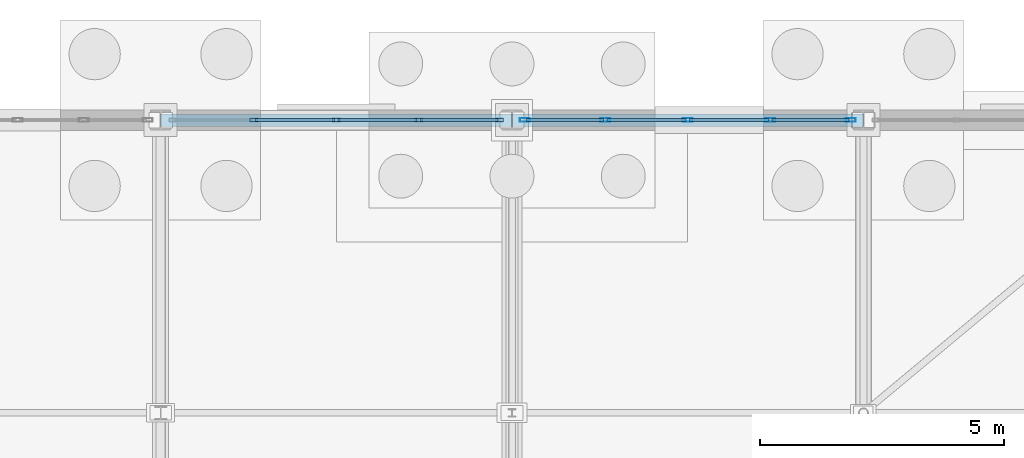
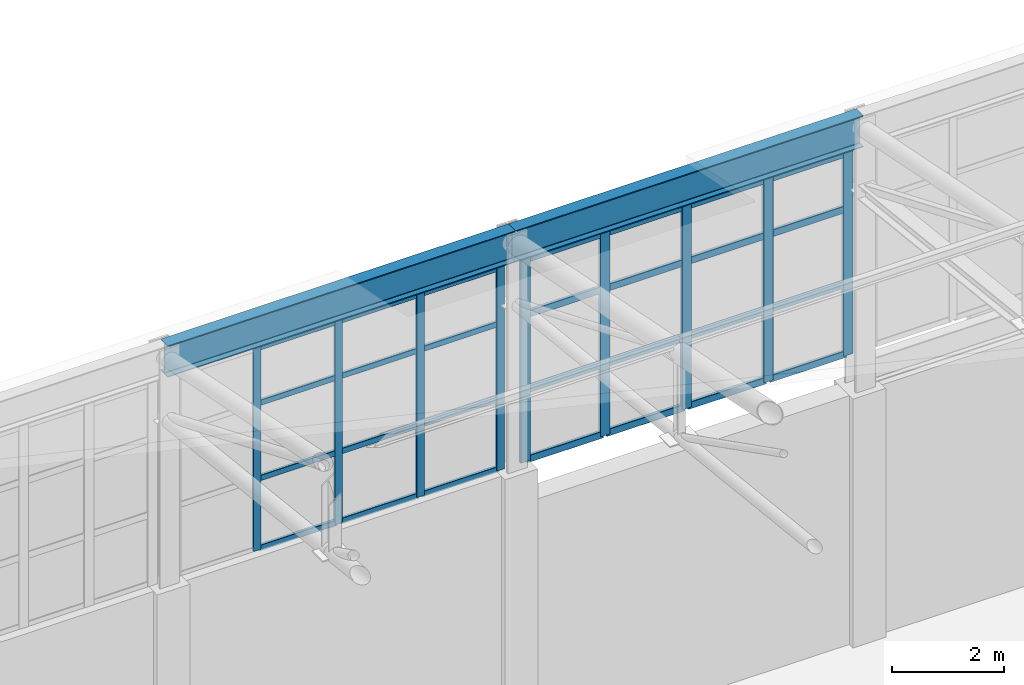
# One storey, part 215 of 293: 37 members, 2 beams, 2 elements without a shape of their own.
"""IFC4 building model written with IfcOpenShell, lengths in metres."""

from ifc_helpers import new_model, si_unit, direction, frame, origin, origin_2d, place, context, subcontext, project, spatial, hollow_rectangle, i_section, extrude, material, layer, layer_set, material_profile, profile_set, type_object, element, aggregate, save


model = new_model("IFC4")

# Units and contexts
model_context = context("Model", 3, precision=1e-05, world=origin(), true_north=direction((0.0, 1.0)))
body_context = subcontext(model_context, "Body", "Model", "MODEL_VIEW")
ifc_project = project(units=[si_unit("LENGTHUNIT", "METRE"), si_unit("AREAUNIT", "SQUARE_METRE"), si_unit("VOLUMEUNIT", "CUBIC_METRE"), si_unit("PLANEANGLEUNIT", "RADIAN"), si_unit("MASSUNIT", "GRAM", prefix="KILO")], contexts=[model_context])

# Site, building, storey
site_placement = place(None, origin())
site = spatial("IfcSite", under=ifc_project, at=site_placement, CompositionType="ELEMENT")
building_placement = place(site_placement, origin())
building = spatial("IfcBuilding", under=site, at=building_placement, Name="Kemerveld Promenade Tramway Depot", CompositionType="ELEMENT")
storey_placement = place(building_placement, origin())
storey = spatial("IfcBuildingStorey", under=building, at=storey_placement, Name="L00", CompositionType="ELEMENT", Elevation=0.0)

# Beams
ifc_material_1 = material(Name="Steel S355", Category="steel")
ifc_material_profile_1 = material_profile(ifc_material_1, i_section(OverallWidth=0.25439453125, OverallDepth=0.6875, WebThickness=0.01318359375, FlangeThickness=0.02099609375, FilletRadius=0.01513671875, at=origin_2d()), Name="686x254x152 UB")
ifc_profile_set_1 = profile_set([ifc_material_profile_1], Name="Steel S355")
beam_type = type_object("IfcBeamType", Name="BM-G03", PredefinedType="BEAM", material=ifc_profile_set_1)
for number, where, z_axis, x_axis, name in (
    (1, (93.60009765625, 144.0, 11.056396484375), (1.0, 0.0, 0.0), (0.0, 1.0, 0.0), "BM-SHED-EAVE-U-14"),
    (2, (100.800048828125, 144.0, 11.056396484375), (1.0, 0.0, 0.0), (0.0, 1.0, 0.0), "BM-SHED-EAVE-U-15"),
):
    element("IfcBeam", number, at=place(storey_placement, frame(where, z_axis=z_axis, x_axis=x_axis)), inside=storey, type_object=beam_type, Name=name, PredefinedType="BEAM", context=body_context, shape_type="SweptSolid", body=[
        extrude(i_section(OverallWidth=0.25439453125, OverallDepth=0.6875, WebThickness=0.01318359375, FlangeThickness=0.02099609375, FilletRadius=0.01513671875, at=origin_2d()), origin(), (0.0, 0.0, 1.0), 7.199951171875),
    ])

# Curtain wall, members
ifc_material_2 = material(Name="Bronze anodised aluminium and solar glass", Category="aluminium")
ifc_layer_1 = layer(ifc_material_2, 0.159912109375)
ifc_layer_set_1 = layer_set([ifc_layer_1], Name="CW-SYS-09")
curtain_wall_type_1 = type_object("IfcCurtainWallType", Name="CW-SYS-09", PredefinedType="USERDEFINED", material=ifc_layer_set_1)
curtain_wall_1_placement = place(storey_placement, origin())
curtain_wall_1 = element("IfcCurtainWall", 3, at=curtain_wall_1_placement, inside=storey, type_object=curtain_wall_type_1, Name="CW-V1-N-09", ObjectType="GLAZED_CURTAIN_WALL", PredefinedType="USERDEFINED")
ifc_material_3 = material(Name="Bronze anodised aluminium", Category="aluminium")
ifc_material_profile_2 = material_profile(ifc_material_3, hollow_rectangle(XDim=0.06494140625, YDim=0.159912109375, WallThickness=0.00390625, InnerFilletRadius=0.001953125, OuterFilletRadius=0.00390625, at=origin_2d()), Name="CW-MUL-160x65")
ifc_profile_set_2 = profile_set([ifc_material_profile_2], Name="Bronze anodised aluminium")
member_type_1 = type_object("IfcMemberType", Name="CW-MUL-A", PredefinedType="MULLION", material=ifc_profile_set_2)
member_1_placement = place(storey_placement, frame((95.51171875, 144.0, 6.199951171875), z_axis=(0.0, 0.0, 1.0), x_axis=(0.0, 1.0, 0.0)))
member_1 = element("IfcMember", 4, at=member_1_placement, type_object=member_type_1, Name="CW09 mullion 2", PredefinedType="MULLION", context=body_context, shape_type="SweptSolid", body=[
    extrude(hollow_rectangle(XDim=0.06494140625, YDim=0.159912109375, WallThickness=0.00390625, InnerFilletRadius=0.001953125, OuterFilletRadius=0.00390625, at=origin_2d()), origin(), (0.0, 0.0, 1.0), 4.449951171875),
])
member_2_placement = place(storey_placement, frame((97.199951171875, 144.0, 6.199951171875), z_axis=(0.0, 0.0, 1.0), x_axis=(0.0, 1.0, 0.0)))
member_2 = element("IfcMember", 5, at=member_2_placement, type_object=member_type_1, Name="CW09 mullion 3", PredefinedType="MULLION", context=body_context, shape_type="SweptSolid", body=[
    extrude(hollow_rectangle(XDim=0.06494140625, YDim=0.159912109375, WallThickness=0.00390625, InnerFilletRadius=0.001953125, OuterFilletRadius=0.00390625, at=origin_2d()), origin(), (0.0, 0.0, 1.0), 4.449951171875),
])
member_3_placement = place(storey_placement, frame((98.888427734375, 144.0, 6.199951171875), z_axis=(0.0, 0.0, 1.0), x_axis=(0.0, 1.0, 0.0)))
member_3 = element("IfcMember", 6, at=member_3_placement, type_object=member_type_1, Name="CW09 mullion 4", PredefinedType="MULLION", context=body_context, shape_type="SweptSolid", body=[
    extrude(hollow_rectangle(XDim=0.06494140625, YDim=0.159912109375, WallThickness=0.00390625, InnerFilletRadius=0.001953125, OuterFilletRadius=0.00390625, at=origin_2d()), origin(), (0.0, 0.0, 1.0), 4.449951171875),
])
member_4_placement = place(storey_placement, frame((100.544189453125, 144.0, 6.199951171875), z_axis=(0.0, 0.0, 1.0), x_axis=(0.0, 1.0, 0.0)))
member_4 = element("IfcMember", 7, at=member_4_placement, type_object=member_type_1, Name="CW09 mullion 5", PredefinedType="MULLION", context=body_context, shape_type="SweptSolid", body=[
    extrude(hollow_rectangle(XDim=0.06494140625, YDim=0.159912109375, WallThickness=0.00390625, InnerFilletRadius=0.001953125, OuterFilletRadius=0.00390625, at=origin_2d()), origin(), (0.0, 0.0, 1.0), 4.449951171875),
])

ifc_layer_2 = layer(ifc_material_2, 0.199951171875)
ifc_layer_set_2 = layer_set([ifc_layer_2], Name="CW-SYS-10")
curtain_wall_type_2 = type_object("IfcCurtainWallType", Name="CW-SYS-10", PredefinedType="USERDEFINED", material=ifc_layer_set_2)
curtain_wall_2_placement = place(storey_placement, origin())
curtain_wall_2 = element("IfcCurtainWall", 8, at=curtain_wall_2_placement, inside=storey, type_object=curtain_wall_type_2, Name="CW-V1-N-10", ObjectType="GLAZED_CURTAIN_WALL", PredefinedType="USERDEFINED")
ifc_material_profile_3 = material_profile(ifc_material_3, hollow_rectangle(XDim=0.074951171875, YDim=0.199951171875, WallThickness=0.0048828125, InnerFilletRadius=0.001953125, OuterFilletRadius=0.0048828125, at=origin_2d()), Name="CW-MUL-200x75")
ifc_profile_set_3 = profile_set([ifc_material_profile_3], Name="Bronze anodised aluminium")
member_type_2 = type_object("IfcMemberType", Name="CW-MUL-B", PredefinedType="MULLION", material=ifc_profile_set_3)
member_5_placement = place(storey_placement, frame((101.060791015625, 144.0, 6.199951171875), z_axis=(0.0, 0.0, 1.0), x_axis=(0.0, 1.0, 0.0)))
member_5 = element("IfcMember", 9, at=member_5_placement, type_object=member_type_2, Name="CW10 mullion 1", PredefinedType="MULLION", context=body_context, shape_type="SweptSolid", body=[
    extrude(hollow_rectangle(XDim=0.074951171875, YDim=0.199951171875, WallThickness=0.0048828125, InnerFilletRadius=0.001953125, OuterFilletRadius=0.0048828125, at=origin_2d()), origin(), (0.0, 0.0, 1.0), 4.449951171875),
])
member_6_placement = place(storey_placement, frame((102.711669921875, 144.0, 6.199951171875), z_axis=(0.0, 0.0, 1.0), x_axis=(0.0, 1.0, 0.0)))
member_6 = element("IfcMember", 10, at=member_6_placement, type_object=member_type_2, Name="CW10 mullion 2", PredefinedType="MULLION", context=body_context, shape_type="SweptSolid", body=[
    extrude(hollow_rectangle(XDim=0.074951171875, YDim=0.199951171875, WallThickness=0.0048828125, InnerFilletRadius=0.001953125, OuterFilletRadius=0.0048828125, at=origin_2d()), origin(), (0.0, 0.0, 1.0), 4.449951171875),
])
member_7_placement = place(storey_placement, frame((104.39990234375, 144.0, 6.199951171875), z_axis=(0.0, 0.0, 1.0), x_axis=(0.0, 1.0, 0.0)))
member_7 = element("IfcMember", 11, at=member_7_placement, type_object=member_type_2, Name="CW10 mullion 3", PredefinedType="MULLION", context=body_context, shape_type="SweptSolid", body=[
    extrude(hollow_rectangle(XDim=0.074951171875, YDim=0.199951171875, WallThickness=0.0048828125, InnerFilletRadius=0.001953125, OuterFilletRadius=0.0048828125, at=origin_2d()), origin(), (0.0, 0.0, 1.0), 4.449951171875),
])
member_8_placement = place(storey_placement, frame((106.08837890625, 144.0, 6.199951171875), z_axis=(0.0, 0.0, 1.0), x_axis=(0.0, 1.0, 0.0)))
member_8 = element("IfcMember", 12, at=member_8_placement, type_object=member_type_2, Name="CW10 mullion 4", PredefinedType="MULLION", context=body_context, shape_type="SweptSolid", body=[
    extrude(hollow_rectangle(XDim=0.074951171875, YDim=0.199951171875, WallThickness=0.0048828125, InnerFilletRadius=0.001953125, OuterFilletRadius=0.0048828125, at=origin_2d()), origin(), (0.0, 0.0, 1.0), 4.449951171875),
])
member_9_placement = place(storey_placement, frame((107.7392578125, 144.0, 6.199951171875), z_axis=(0.0, 0.0, 1.0), x_axis=(0.0, 1.0, 0.0)))
member_9 = element("IfcMember", 13, at=member_9_placement, type_object=member_type_2, Name="CW10 mullion 5", PredefinedType="MULLION", context=body_context, shape_type="SweptSolid", body=[
    extrude(hollow_rectangle(XDim=0.074951171875, YDim=0.199951171875, WallThickness=0.0048828125, InnerFilletRadius=0.001953125, OuterFilletRadius=0.0048828125, at=origin_2d()), origin(), (0.0, 0.0, 1.0), 4.449951171875),
])

# Member
ifc_material_profile_4 = material_profile(ifc_material_3, hollow_rectangle(XDim=0.06005859375, YDim=0.1201171875, WallThickness=0.00390625, InnerFilletRadius=0.001953125, OuterFilletRadius=0.00390625, at=origin_2d()), Name="CW-TRN-120x60")
ifc_profile_set_4 = profile_set([ifc_material_profile_4], Name="Bronze anodised aluminium")
member_type_3 = type_object("IfcMemberType", Name="CW-TRN-A", PredefinedType="USERDEFINED", material=ifc_profile_set_4)
member_10_placement = place(storey_placement, frame((95.544189453125, 144.0, 6.22998046875), z_axis=(1.0, 0.0, 0.0), x_axis=(0.0, 1.0, 0.0)))
member_10 = element("IfcMember", 14, at=member_10_placement, type_object=member_type_3, Name="CW09 transom 2.1", ObjectType="TRANSOM", PredefinedType="USERDEFINED", context=body_context, shape_type="SweptSolid", body=[
    extrude(hollow_rectangle(XDim=0.06005859375, YDim=0.1201171875, WallThickness=0.00390625, InnerFilletRadius=0.001953125, OuterFilletRadius=0.00390625, at=origin_2d()), origin(), (0.0, 0.0, 1.0), 1.623291015625),
])

member_11_placement = place(storey_placement, frame((95.544189453125, 144.0, 7.758056640625), z_axis=(1.0, 0.0, 0.0), x_axis=(0.0, 1.0, 0.0)))
member_11 = element("IfcMember", 15, at=member_11_placement, type_object=member_type_3, Name="CW09 transom 2.2", ObjectType="TRANSOM", PredefinedType="USERDEFINED", context=body_context, shape_type="SweptSolid", body=[
    extrude(hollow_rectangle(XDim=0.06005859375, YDim=0.1201171875, WallThickness=0.00390625, InnerFilletRadius=0.001953125, OuterFilletRadius=0.00390625, at=origin_2d()), origin(), (0.0, 0.0, 1.0), 1.623291015625),
])

member_12_placement = place(storey_placement, frame((95.544189453125, 144.0, 9.404052734375), z_axis=(1.0, 0.0, 0.0), x_axis=(0.0, 1.0, 0.0)))
member_12 = element("IfcMember", 16, at=member_12_placement, type_object=member_type_3, Name="CW09 transom 2.3", ObjectType="TRANSOM", PredefinedType="USERDEFINED", context=body_context, shape_type="SweptSolid", body=[
    extrude(hollow_rectangle(XDim=0.06005859375, YDim=0.1201171875, WallThickness=0.00390625, InnerFilletRadius=0.001953125, OuterFilletRadius=0.00390625, at=origin_2d()), origin(), (0.0, 0.0, 1.0), 1.623291015625),
])

member_13_placement = place(storey_placement, frame((95.544189453125, 144.0, 10.6201171875), z_axis=(1.0, 0.0, 0.0), x_axis=(0.0, 1.0, 0.0)))
member_13 = element("IfcMember", 17, at=member_13_placement, type_object=member_type_3, Name="CW09 transom 2.4", ObjectType="TRANSOM", PredefinedType="USERDEFINED", context=body_context, shape_type="SweptSolid", body=[
    extrude(hollow_rectangle(XDim=0.06005859375, YDim=0.1201171875, WallThickness=0.00390625, InnerFilletRadius=0.001953125, OuterFilletRadius=0.00390625, at=origin_2d()), origin(), (0.0, 0.0, 1.0), 1.623291015625),
])

member_14_placement = place(storey_placement, frame((97.232421875, 144.0, 6.22998046875), z_axis=(1.0, 0.0, 0.0), x_axis=(0.0, 1.0, 0.0)))
member_14 = element("IfcMember", 18, at=member_14_placement, type_object=member_type_3, Name="CW09 transom 3.1", ObjectType="TRANSOM", PredefinedType="USERDEFINED", context=body_context, shape_type="SweptSolid", body=[
    extrude(hollow_rectangle(XDim=0.06005859375, YDim=0.1201171875, WallThickness=0.00390625, InnerFilletRadius=0.001953125, OuterFilletRadius=0.00390625, at=origin_2d()), origin(), (0.0, 0.0, 1.0), 1.62353515625),
])

member_15_placement = place(storey_placement, frame((97.232421875, 144.0, 7.758056640625), z_axis=(1.0, 0.0, 0.0), x_axis=(0.0, 1.0, 0.0)))
member_15 = element("IfcMember", 19, at=member_15_placement, type_object=member_type_3, Name="CW09 transom 3.2", ObjectType="TRANSOM", PredefinedType="USERDEFINED", context=body_context, shape_type="SweptSolid", body=[
    extrude(hollow_rectangle(XDim=0.06005859375, YDim=0.1201171875, WallThickness=0.00390625, InnerFilletRadius=0.001953125, OuterFilletRadius=0.00390625, at=origin_2d()), origin(), (0.0, 0.0, 1.0), 1.62353515625),
])

member_16_placement = place(storey_placement, frame((97.232421875, 144.0, 9.404052734375), z_axis=(1.0, 0.0, 0.0), x_axis=(0.0, 1.0, 0.0)))
member_16 = element("IfcMember", 20, at=member_16_placement, type_object=member_type_3, Name="CW09 transom 3.3", ObjectType="TRANSOM", PredefinedType="USERDEFINED", context=body_context, shape_type="SweptSolid", body=[
    extrude(hollow_rectangle(XDim=0.06005859375, YDim=0.1201171875, WallThickness=0.00390625, InnerFilletRadius=0.001953125, OuterFilletRadius=0.00390625, at=origin_2d()), origin(), (0.0, 0.0, 1.0), 1.62353515625),
])

member_17_placement = place(storey_placement, frame((97.232421875, 144.0, 10.6201171875), z_axis=(1.0, 0.0, 0.0), x_axis=(0.0, 1.0, 0.0)))
member_17 = element("IfcMember", 21, at=member_17_placement, type_object=member_type_3, Name="CW09 transom 3.4", ObjectType="TRANSOM", PredefinedType="USERDEFINED", context=body_context, shape_type="SweptSolid", body=[
    extrude(hollow_rectangle(XDim=0.06005859375, YDim=0.1201171875, WallThickness=0.00390625, InnerFilletRadius=0.001953125, OuterFilletRadius=0.00390625, at=origin_2d()), origin(), (0.0, 0.0, 1.0), 1.62353515625),
])

member_18_placement = place(storey_placement, frame((98.9208984375, 144.0, 6.22998046875), z_axis=(1.0, 0.0, 0.0), x_axis=(0.0, 1.0, 0.0)))
member_18 = element("IfcMember", 22, at=member_18_placement, type_object=member_type_3, Name="CW09 transom 4.1", ObjectType="TRANSOM", PredefinedType="USERDEFINED", context=body_context, shape_type="SweptSolid", body=[
    extrude(hollow_rectangle(XDim=0.06005859375, YDim=0.1201171875, WallThickness=0.00390625, InnerFilletRadius=0.001953125, OuterFilletRadius=0.00390625, at=origin_2d()), origin(), (0.0, 0.0, 1.0), 1.5908203125),
])

member_19_placement = place(storey_placement, frame((98.9208984375, 144.0, 7.758056640625), z_axis=(1.0, 0.0, 0.0), x_axis=(0.0, 1.0, 0.0)))
member_19 = element("IfcMember", 23, at=member_19_placement, type_object=member_type_3, Name="CW09 transom 4.2", ObjectType="TRANSOM", PredefinedType="USERDEFINED", context=body_context, shape_type="SweptSolid", body=[
    extrude(hollow_rectangle(XDim=0.06005859375, YDim=0.1201171875, WallThickness=0.00390625, InnerFilletRadius=0.001953125, OuterFilletRadius=0.00390625, at=origin_2d()), origin(), (0.0, 0.0, 1.0), 1.5908203125),
])

member_20_placement = place(storey_placement, frame((98.9208984375, 144.0, 9.404052734375), z_axis=(1.0, 0.0, 0.0), x_axis=(0.0, 1.0, 0.0)))
member_20 = element("IfcMember", 24, at=member_20_placement, type_object=member_type_3, Name="CW09 transom 4.3", ObjectType="TRANSOM", PredefinedType="USERDEFINED", context=body_context, shape_type="SweptSolid", body=[
    extrude(hollow_rectangle(XDim=0.06005859375, YDim=0.1201171875, WallThickness=0.00390625, InnerFilletRadius=0.001953125, OuterFilletRadius=0.00390625, at=origin_2d()), origin(), (0.0, 0.0, 1.0), 1.5908203125),
])

member_21_placement = place(storey_placement, frame((98.9208984375, 144.0, 10.6201171875), z_axis=(1.0, 0.0, 0.0), x_axis=(0.0, 1.0, 0.0)))
member_21 = element("IfcMember", 25, at=member_21_placement, type_object=member_type_3, Name="CW09 transom 4.4", ObjectType="TRANSOM", PredefinedType="USERDEFINED", context=body_context, shape_type="SweptSolid", body=[
    extrude(hollow_rectangle(XDim=0.06005859375, YDim=0.1201171875, WallThickness=0.00390625, InnerFilletRadius=0.001953125, OuterFilletRadius=0.00390625, at=origin_2d()), origin(), (0.0, 0.0, 1.0), 1.5908203125),
])

aggregate(curtain_wall_1, [member_1, member_2, member_3, member_4, member_10, member_11, member_12, member_13, member_14, member_15, member_16, member_17, member_18, member_19, member_20, member_21])

ifc_material_profile_5 = material_profile(ifc_material_3, hollow_rectangle(XDim=0.06494140625, YDim=0.14990234375, WallThickness=0.00439453125, InnerFilletRadius=0.001953125, OuterFilletRadius=0.00439453125, at=origin_2d()), Name="CW-TRN-150x65")
ifc_profile_set_5 = profile_set([ifc_material_profile_5], Name="Bronze anodised aluminium")
member_type_4 = type_object("IfcMemberType", Name="CW-TRN-B", PredefinedType="USERDEFINED", material=ifc_profile_set_5)
member_22_placement = place(storey_placement, frame((101.09814453125, 144.0, 6.232421875), z_axis=(1.0, 0.0, 0.0), x_axis=(0.0, 1.0, 0.0)))
member_22 = element("IfcMember", 26, at=member_22_placement, type_object=member_type_4, Name="CW10 transom 1.1", ObjectType="TRANSOM", PredefinedType="USERDEFINED", context=body_context, shape_type="SweptSolid", body=[
    extrude(hollow_rectangle(XDim=0.06494140625, YDim=0.14990234375, WallThickness=0.00439453125, InnerFilletRadius=0.001953125, OuterFilletRadius=0.00439453125, at=origin_2d()), origin(), (0.0, 0.0, 1.0), 1.575927734375),
])

member_23_placement = place(storey_placement, frame((101.09814453125, 144.0, 7.758056640625), z_axis=(1.0, 0.0, 0.0), x_axis=(0.0, 1.0, 0.0)))
member_23 = element("IfcMember", 27, at=member_23_placement, type_object=member_type_4, Name="CW10 transom 1.2", ObjectType="TRANSOM", PredefinedType="USERDEFINED", context=body_context, shape_type="SweptSolid", body=[
    extrude(hollow_rectangle(XDim=0.06494140625, YDim=0.14990234375, WallThickness=0.00439453125, InnerFilletRadius=0.001953125, OuterFilletRadius=0.00439453125, at=origin_2d()), origin(), (0.0, 0.0, 1.0), 1.575927734375),
])

member_24_placement = place(storey_placement, frame((101.09814453125, 144.0, 9.404052734375), z_axis=(1.0, 0.0, 0.0), x_axis=(0.0, 1.0, 0.0)))
member_24 = element("IfcMember", 28, at=member_24_placement, type_object=member_type_4, Name="CW10 transom 1.3", ObjectType="TRANSOM", PredefinedType="USERDEFINED", context=body_context, shape_type="SweptSolid", body=[
    extrude(hollow_rectangle(XDim=0.06494140625, YDim=0.14990234375, WallThickness=0.00439453125, InnerFilletRadius=0.001953125, OuterFilletRadius=0.00439453125, at=origin_2d()), origin(), (0.0, 0.0, 1.0), 1.575927734375),
])

member_25_placement = place(storey_placement, frame((101.09814453125, 144.0, 10.617431640625), z_axis=(1.0, 0.0, 0.0), x_axis=(0.0, 1.0, 0.0)))
member_25 = element("IfcMember", 29, at=member_25_placement, type_object=member_type_4, Name="CW10 transom 1.4", ObjectType="TRANSOM", PredefinedType="USERDEFINED", context=body_context, shape_type="SweptSolid", body=[
    extrude(hollow_rectangle(XDim=0.06494140625, YDim=0.14990234375, WallThickness=0.00439453125, InnerFilletRadius=0.001953125, OuterFilletRadius=0.00439453125, at=origin_2d()), origin(), (0.0, 0.0, 1.0), 1.575927734375),
])

member_26_placement = place(storey_placement, frame((102.7490234375, 144.0, 6.232421875), z_axis=(1.0, 0.0, 0.0), x_axis=(0.0, 1.0, 0.0)))
member_26 = element("IfcMember", 30, at=member_26_placement, type_object=member_type_4, Name="CW10 transom 2.1", ObjectType="TRANSOM", PredefinedType="USERDEFINED", context=body_context, shape_type="SweptSolid", body=[
    extrude(hollow_rectangle(XDim=0.06494140625, YDim=0.14990234375, WallThickness=0.00439453125, InnerFilletRadius=0.001953125, OuterFilletRadius=0.00439453125, at=origin_2d()), origin(), (0.0, 0.0, 1.0), 1.613525390625),
])

member_27_placement = place(storey_placement, frame((102.7490234375, 144.0, 7.758056640625), z_axis=(1.0, 0.0, 0.0), x_axis=(0.0, 1.0, 0.0)))
member_27 = element("IfcMember", 31, at=member_27_placement, type_object=member_type_4, Name="CW10 transom 2.2", ObjectType="TRANSOM", PredefinedType="USERDEFINED", context=body_context, shape_type="SweptSolid", body=[
    extrude(hollow_rectangle(XDim=0.06494140625, YDim=0.14990234375, WallThickness=0.00439453125, InnerFilletRadius=0.001953125, OuterFilletRadius=0.00439453125, at=origin_2d()), origin(), (0.0, 0.0, 1.0), 1.613525390625),
])

member_28_placement = place(storey_placement, frame((102.7490234375, 144.0, 9.404052734375), z_axis=(1.0, 0.0, 0.0), x_axis=(0.0, 1.0, 0.0)))
member_28 = element("IfcMember", 32, at=member_28_placement, type_object=member_type_4, Name="CW10 transom 2.3", ObjectType="TRANSOM", PredefinedType="USERDEFINED", context=body_context, shape_type="SweptSolid", body=[
    extrude(hollow_rectangle(XDim=0.06494140625, YDim=0.14990234375, WallThickness=0.00439453125, InnerFilletRadius=0.001953125, OuterFilletRadius=0.00439453125, at=origin_2d()), origin(), (0.0, 0.0, 1.0), 1.613525390625),
])

member_29_placement = place(storey_placement, frame((102.7490234375, 144.0, 10.617431640625), z_axis=(1.0, 0.0, 0.0), x_axis=(0.0, 1.0, 0.0)))
member_29 = element("IfcMember", 33, at=member_29_placement, type_object=member_type_4, Name="CW10 transom 2.4", ObjectType="TRANSOM", PredefinedType="USERDEFINED", context=body_context, shape_type="SweptSolid", body=[
    extrude(hollow_rectangle(XDim=0.06494140625, YDim=0.14990234375, WallThickness=0.00439453125, InnerFilletRadius=0.001953125, OuterFilletRadius=0.00439453125, at=origin_2d()), origin(), (0.0, 0.0, 1.0), 1.613525390625),
])

member_30_placement = place(storey_placement, frame((104.4375, 144.0, 6.232421875), z_axis=(1.0, 0.0, 0.0), x_axis=(0.0, 1.0, 0.0)))
member_30 = element("IfcMember", 34, at=member_30_placement, type_object=member_type_4, Name="CW10 transom 3.1", ObjectType="TRANSOM", PredefinedType="USERDEFINED", context=body_context, shape_type="SweptSolid", body=[
    extrude(hollow_rectangle(XDim=0.06494140625, YDim=0.14990234375, WallThickness=0.00439453125, InnerFilletRadius=0.001953125, OuterFilletRadius=0.00439453125, at=origin_2d()), origin(), (0.0, 0.0, 1.0), 1.61328125),
])

member_31_placement = place(storey_placement, frame((104.4375, 144.0, 7.758056640625), z_axis=(1.0, 0.0, 0.0), x_axis=(0.0, 1.0, 0.0)))
member_31 = element("IfcMember", 35, at=member_31_placement, type_object=member_type_4, Name="CW10 transom 3.2", ObjectType="TRANSOM", PredefinedType="USERDEFINED", context=body_context, shape_type="SweptSolid", body=[
    extrude(hollow_rectangle(XDim=0.06494140625, YDim=0.14990234375, WallThickness=0.00439453125, InnerFilletRadius=0.001953125, OuterFilletRadius=0.00439453125, at=origin_2d()), origin(), (0.0, 0.0, 1.0), 1.61328125),
])

member_32_placement = place(storey_placement, frame((104.4375, 144.0, 9.404052734375), z_axis=(1.0, 0.0, 0.0), x_axis=(0.0, 1.0, 0.0)))
member_32 = element("IfcMember", 36, at=member_32_placement, type_object=member_type_4, Name="CW10 transom 3.3", ObjectType="TRANSOM", PredefinedType="USERDEFINED", context=body_context, shape_type="SweptSolid", body=[
    extrude(hollow_rectangle(XDim=0.06494140625, YDim=0.14990234375, WallThickness=0.00439453125, InnerFilletRadius=0.001953125, OuterFilletRadius=0.00439453125, at=origin_2d()), origin(), (0.0, 0.0, 1.0), 1.61328125),
])

member_33_placement = place(storey_placement, frame((104.4375, 144.0, 10.617431640625), z_axis=(1.0, 0.0, 0.0), x_axis=(0.0, 1.0, 0.0)))
member_33 = element("IfcMember", 37, at=member_33_placement, type_object=member_type_4, Name="CW10 transom 3.4", ObjectType="TRANSOM", PredefinedType="USERDEFINED", context=body_context, shape_type="SweptSolid", body=[
    extrude(hollow_rectangle(XDim=0.06494140625, YDim=0.14990234375, WallThickness=0.00439453125, InnerFilletRadius=0.001953125, OuterFilletRadius=0.00439453125, at=origin_2d()), origin(), (0.0, 0.0, 1.0), 1.61328125),
])

member_34_placement = place(storey_placement, frame((106.1259765625, 144.0, 6.232421875), z_axis=(1.0, 0.0, 0.0), x_axis=(0.0, 1.0, 0.0)))
member_34 = element("IfcMember", 38, at=member_34_placement, type_object=member_type_4, Name="CW10 transom 4.1", ObjectType="TRANSOM", PredefinedType="USERDEFINED", context=body_context, shape_type="SweptSolid", body=[
    extrude(hollow_rectangle(XDim=0.06494140625, YDim=0.14990234375, WallThickness=0.00439453125, InnerFilletRadius=0.001953125, OuterFilletRadius=0.00439453125, at=origin_2d()), origin(), (0.0, 0.0, 1.0), 1.575927734375),
])

member_35_placement = place(storey_placement, frame((106.1259765625, 144.0, 7.758056640625), z_axis=(1.0, 0.0, 0.0), x_axis=(0.0, 1.0, 0.0)))
member_35 = element("IfcMember", 39, at=member_35_placement, type_object=member_type_4, Name="CW10 transom 4.2", ObjectType="TRANSOM", PredefinedType="USERDEFINED", context=body_context, shape_type="SweptSolid", body=[
    extrude(hollow_rectangle(XDim=0.06494140625, YDim=0.14990234375, WallThickness=0.00439453125, InnerFilletRadius=0.001953125, OuterFilletRadius=0.00439453125, at=origin_2d()), origin(), (0.0, 0.0, 1.0), 1.575927734375),
])

member_36_placement = place(storey_placement, frame((106.1259765625, 144.0, 9.404052734375), z_axis=(1.0, 0.0, 0.0), x_axis=(0.0, 1.0, 0.0)))
member_36 = element("IfcMember", 40, at=member_36_placement, type_object=member_type_4, Name="CW10 transom 4.3", ObjectType="TRANSOM", PredefinedType="USERDEFINED", context=body_context, shape_type="SweptSolid", body=[
    extrude(hollow_rectangle(XDim=0.06494140625, YDim=0.14990234375, WallThickness=0.00439453125, InnerFilletRadius=0.001953125, OuterFilletRadius=0.00439453125, at=origin_2d()), origin(), (0.0, 0.0, 1.0), 1.575927734375),
])

member_37_placement = place(storey_placement, frame((106.1259765625, 144.0, 10.617431640625), z_axis=(1.0, 0.0, 0.0), x_axis=(0.0, 1.0, 0.0)))
member_37 = element("IfcMember", 41, at=member_37_placement, type_object=member_type_4, Name="CW10 transom 4.4", ObjectType="TRANSOM", PredefinedType="USERDEFINED", context=body_context, shape_type="SweptSolid", body=[
    extrude(hollow_rectangle(XDim=0.06494140625, YDim=0.14990234375, WallThickness=0.00439453125, InnerFilletRadius=0.001953125, OuterFilletRadius=0.00439453125, at=origin_2d()), origin(), (0.0, 0.0, 1.0), 1.575927734375),
])

aggregate(curtain_wall_2, [member_5, member_6, member_7, member_8, member_9, member_22, member_23, member_24, member_25, member_26, member_27, member_28, member_29, member_30, member_31, member_32, member_33, member_34, member_35, member_36, member_37])

save(model, "model.ifc")
